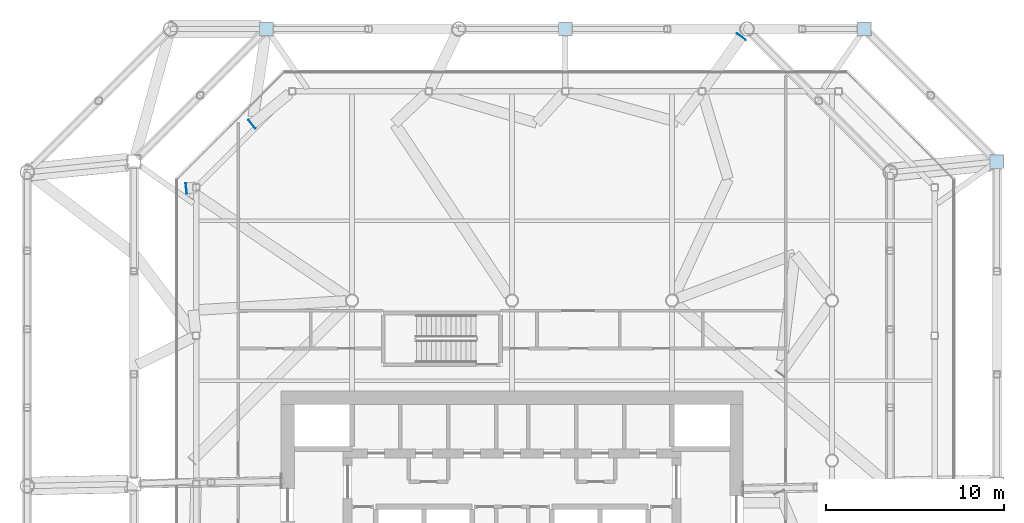
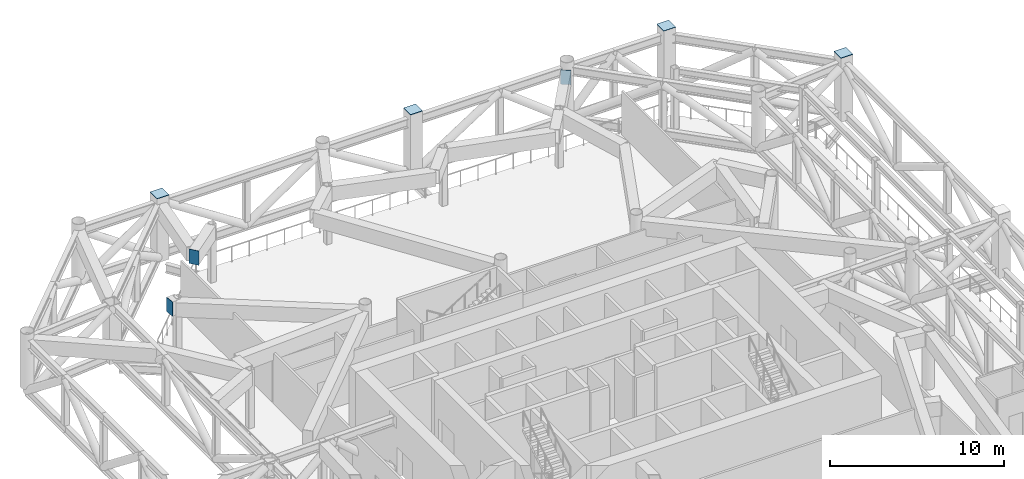
# One storey, part 12 of 21: 7 plates.
"""IFC4 building model written with IfcOpenShell, lengths in metres."""

from ifc_helpers import new_model, si_unit, direction, frame, origin, origin_2d, place, context, subcontext, project, spatial, rectangle, extrude, material, material_profile, profile_set, type_object, element, save


model = new_model("IFC4")

# Units and contexts
model_context = context("Model", 3, precision=1e-05, world=origin(), true_north=direction((0.0, 1.0)))
body_context = subcontext(model_context, "Body", "Model", "MODEL_VIEW")
ifc_project = project(units=[si_unit("LENGTHUNIT", "METRE"), si_unit("AREAUNIT", "SQUARE_METRE"), si_unit("VOLUMEUNIT", "CUBIC_METRE"), si_unit("PLANEANGLEUNIT", "RADIAN"), si_unit("MASSUNIT", "GRAM", prefix="KILO")], contexts=[model_context])

# Site, building, storey
site_placement = place(None, origin())
site = spatial("IfcSite", under=ifc_project, at=site_placement, CompositionType="ELEMENT")
building_placement = place(site_placement, origin())
building = spatial("IfcBuilding", under=site, at=building_placement, Name="Tskaro Facet Tower", CompositionType="ELEMENT")
storey_placement = place(building_placement, frame((0.0, 0.0, 167.699951171875)))
storey = spatial("IfcBuildingStorey", under=building, at=storey_placement, Name="L41", CompositionType="ELEMENT", Elevation=167.699951171875)

# Plates
ifc_material = material(Name="Steel S355J2", Category="steel")
ifc_material_profile_1 = material_profile(ifc_material, rectangle(XDim=0.60009765625, YDim=1.0, at=origin_2d()), Name="PL 600x1000x30 end plate")
ifc_profile_set_1 = profile_set([ifc_material_profile_1], Name="Steel S355J2")
plate_type_1 = type_object("IfcPlateType", Name="PL 600x1000x30 end plate", PredefinedType="SHEET", material=ifc_profile_set_1)
plate_placement = place(storey_placement, frame((-18.31396484375, 15.31396484375, 3.580078125), z_axis=(-0.995197410875, -0.097888269922, 0.0), x_axis=(0.097888269922, -0.995197410875, 0.0)))
element("IfcPlate", 1, at=plate_placement, inside=storey, type_object=plate_type_1, Name="End plate CP8-23", PredefinedType="SHEET", context=body_context, shape_type="SweptSolid", body=[
    extrude(rectangle(XDim=0.60009765625, YDim=1.0, at=origin_2d()), origin(), (0.0, 0.0, 1.0), 0.030029296875),
])
for number, where, z_axis, x_axis, name in (
    (2, (-14.620361328125, 18.93115234375, 3.580078125), (-0.77686385778, -0.629668600516, 0.0), (0.629668600516, -0.77686385778, 0.0), "End plate CP8-28"),
    (3, (12.893798828125, 23.830322265625, 3.580078125), (0.588171697675, 0.808736084303, 0.0), (-0.808736084303, 0.588171697675, 0.0), "End plate CP8-29"),
):
    element("IfcPlate", number, at=place(storey_placement, frame(where, z_axis=z_axis, x_axis=x_axis)), inside=storey, type_object=plate_type_1, Name=name, PredefinedType="SHEET", context=body_context, shape_type="SweptSolid", body=[
        extrude(rectangle(XDim=0.60009765625, YDim=1.0, at=origin_2d()), origin(), (0.0, 0.0, 1.0), 0.02978515625),
    ])
ifc_material_profile_2 = material_profile(ifc_material, rectangle(XDim=0.800048828125, YDim=0.800048828125, at=origin_2d()), Name="PL 800x800x30 end plate")
ifc_profile_set_2 = profile_set([ifc_material_profile_2], Name="Steel S355J2")
plate_type_2 = type_object("IfcPlateType", Name="PL 800x800x30 end plate", PredefinedType="SHEET", material=ifc_profile_set_2)
for number, where, z_axis, x_axis, name in (
    (4, (27.27587890625, 16.819091796875, 4.5), (0.0, 0.0, 1.0), (1.0, 0.0, 0.0), "End plate CP5-06"),
    (5, (19.819091796875, 24.27587890625, 4.5), (0.0, 0.0, 1.0), (1.0, 0.0, 0.0), "End plate CP5-07"),
    (6, (3.0, 24.27587890625, 4.5), (0.0, 0.0, 1.0), (1.0, 0.0, 0.0), "End plate CP5-08"),
    (7, (-13.819091796875, 24.27587890625, 4.5), (0.0, 0.0, 1.0), (1.0, 0.0, 0.0), "End plate CP5-09"),
):
    element("IfcPlate", number, at=place(storey_placement, frame(where, z_axis=z_axis, x_axis=x_axis)), inside=storey, type_object=plate_type_2, Name=name, PredefinedType="SHEET", context=body_context, shape_type="SweptSolid", body=[
        extrude(rectangle(XDim=0.800048828125, YDim=0.800048828125, at=origin_2d()), origin(), (0.0, 0.0, 1.0), 0.030029296875),
    ])

save(model, "model.ifc")
